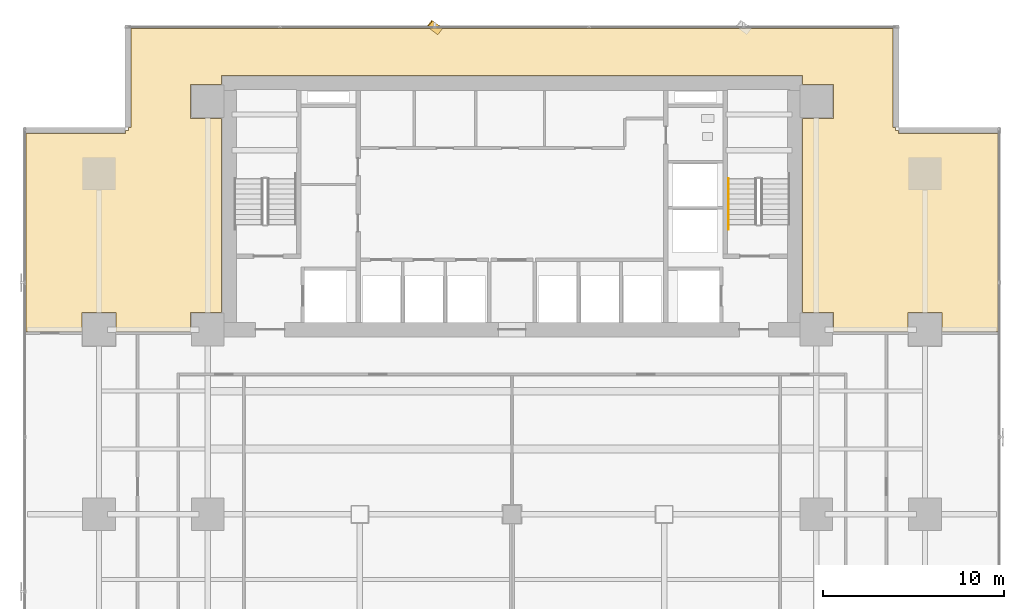
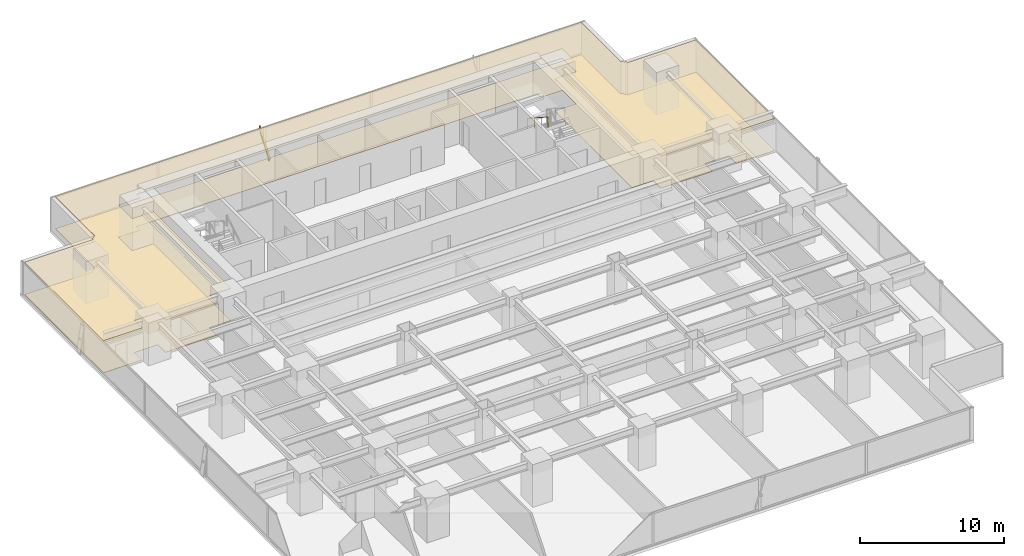
# One storey, part 31 of 33: 2 coverings, 1 railing, 1 shading device.
"""IFC4 building model written with IfcOpenShell, lengths in metres."""

from ifc_helpers import new_model, si_unit, direction, frame, origin, origin_2d, place, context, subcontext, project, spatial, polyline, rectangle, outline, extrude, source, transform, mapped, material, layer, layer_set, material_profile, profile_set, type_object, element, save


model = new_model("IFC4")

# Units and contexts
model_context = context("Model", 3, precision=1e-05, world=origin(), true_north=direction((0.0, 1.0)))
body_context = subcontext(model_context, "Body", "Model", "MODEL_VIEW")
ifc_project = project(units=[si_unit("LENGTHUNIT", "METRE"), si_unit("AREAUNIT", "SQUARE_METRE"), si_unit("VOLUMEUNIT", "CUBIC_METRE"), si_unit("PLANEANGLEUNIT", "RADIAN"), si_unit("MASSUNIT", "GRAM", prefix="KILO")], contexts=[model_context])

# Site, building, storey
site_placement = place(None, origin())
site = spatial("IfcSite", under=ifc_project, at=site_placement, CompositionType="ELEMENT")
building_placement = place(site_placement, origin())
building = spatial("IfcBuilding", under=site, at=building_placement, Name="Sumidabori Civic Tower", CompositionType="ELEMENT")
storey_placement = place(building_placement, frame((0.0, 0.0, 38.0)))
storey = spatial("IfcBuildingStorey", under=building, at=storey_placement, Name="L09", CompositionType="ELEMENT", Elevation=38.0)

# Coverings
ifc_material_1 = material(Name="Perforated Timber Acoustic Ceiling", Category="wood")
ifc_layer_1 = layer(ifc_material_1, 0.044921875, Name="Perforated Timber Acoustic Ceiling")
ifc_layer_set_1 = layer_set([ifc_layer_1], Name="Perforated Timber Acoustic Ceiling")
covering_type_1 = type_object("IfcCoveringType", Name="CV-CEIL-AC2", PredefinedType="CEILING", material=ifc_layer_set_1)
covering_1_placement = place(storey_placement, frame((0.0, 0.0, 2.7099609375)))
element("IfcCovering", 1, at=covering_1_placement, inside=storey, type_object=covering_type_1, Name="Room Acoustic Ceiling L09-01", PredefinedType="CEILING", context=body_context, shape_type="SweptSolid", body=[
    extrude(outline(polyline([(-21.342041015625, 21.179931640625), (-21.179931640625, 21.179931640625), (-21.179931640625, 21.342041015625), (-21.02197265625, 21.342041015625), (-21.02197265625, 26.830078125), (21.02197265625, 26.830078125), (21.02197265625, 21.342041015625), (21.179931640625, 21.342041015625), (21.179931640625, 21.179931640625), (21.342041015625, 21.179931640625), (21.342041015625, 21.02197265625), (26.830078125, 21.02197265625), (26.830078125, 10.08740234375), (23.739990234375, 10.08740234375), (23.739990234375, 11.139892578125), (21.860107421875, 11.139892578125), (21.860107421875, 10.08740234375), (20.7548828125, 10.08740234375), (20.7548828125, 10.10498046875), (17.739990234375, 10.10498046875), (17.739990234375, 11.139892578125), (16.028076171875, 11.139892578125), (16.028076171875, 21.860107421875), (17.739990234375, 21.860107421875), (17.739990234375, 23.739990234375), (16.028076171875, 23.739990234375), (16.028076171875, 24.22802734375), (-16.028076171875, 24.22802734375), (-16.028076171875, 23.739990234375), (-17.739990234375, 23.739990234375), (-17.739990234375, 21.860107421875), (-16.028076171875, 21.860107421875), (-16.028076171875, 11.139892578125), (-17.739990234375, 11.139892578125), (-17.739990234375, 10.10498046875), (-20.7548828125, 10.10498046875), (-20.7548828125, 10.08740234375), (-21.860107421875, 10.08740234375), (-21.860107421875, 11.139892578125), (-23.739990234375, 11.139892578125), (-23.739990234375, 10.08740234375), (-26.830078125, 10.08740234375), (-26.830078125, 21.02197265625), (-21.342041015625, 21.02197265625), (-21.342041015625, 21.179931640625)])), origin(), (0.0, 0.0, 1.0), 0.044921875),
])
ifc_material_2 = material(Name="Honed Terrazzo Tile Flooring")
ifc_layer_2 = layer(ifc_material_2, 0.030029296875, Name="Honed Terrazzo Tile Flooring")
ifc_layer_set_2 = layer_set([ifc_layer_2], Name="Honed Terrazzo Tile Flooring")
covering_type_2 = type_object("IfcCoveringType", Name="CV-FLR-TER", PredefinedType="FLOORING", material=ifc_layer_set_2)
covering_2_placement = place(storey_placement, origin())
element("IfcCovering", 2, at=covering_2_placement, inside=storey, type_object=covering_type_2, Name="Room Terrazzo Floor L09-01", PredefinedType="FLOORING", context=body_context, shape_type="SweptSolid", body=[
    extrude(outline(polyline([(-21.342041015625, 21.179931640625), (-21.179931640625, 21.179931640625), (-21.179931640625, 21.342041015625), (-21.02197265625, 21.342041015625), (-21.02197265625, 26.830078125), (21.02197265625, 26.830078125), (21.02197265625, 21.342041015625), (21.179931640625, 21.342041015625), (21.179931640625, 21.179931640625), (21.342041015625, 21.179931640625), (21.342041015625, 21.02197265625), (26.830078125, 21.02197265625), (26.830078125, 10.08740234375), (23.739990234375, 10.08740234375), (23.739990234375, 11.139892578125), (21.860107421875, 11.139892578125), (21.860107421875, 10.08740234375), (20.7548828125, 10.08740234375), (20.7548828125, 10.10498046875), (17.739990234375, 10.10498046875), (17.739990234375, 11.139892578125), (16.028076171875, 11.139892578125), (16.028076171875, 21.860107421875), (17.739990234375, 21.860107421875), (17.739990234375, 23.739990234375), (16.028076171875, 23.739990234375), (16.028076171875, 24.22802734375), (-16.028076171875, 24.22802734375), (-16.028076171875, 23.739990234375), (-17.739990234375, 23.739990234375), (-17.739990234375, 21.860107421875), (-16.028076171875, 21.860107421875), (-16.028076171875, 11.139892578125), (-17.739990234375, 11.139892578125), (-17.739990234375, 10.10498046875), (-20.7548828125, 10.10498046875), (-20.7548828125, 10.08740234375), (-21.860107421875, 10.08740234375), (-21.860107421875, 11.139892578125), (-23.739990234375, 11.139892578125), (-23.739990234375, 10.08740234375), (-26.830078125, 10.08740234375), (-26.830078125, 21.02197265625), (-21.342041015625, 21.02197265625), (-21.342041015625, 21.179931640625)])), origin(), (0.0, 0.0, 1.0), 0.030029296875),
])

# Railing
ifc_material_3 = material(Name="Stainless Steel Hairline Finish", Category="steel")
railing_type = type_object("IfcRailingType", Name="RL-HANDRAIL", PredefinedType="HANDRAIL", material=ifc_material_3)
railing_placement = place(storey_placement, frame((11.949951171875, 18.52001953125, 1.97998046875)))
element("IfcRailing", 3, at=railing_placement, inside=storey, type_object=railing_type, Name="L09 ST-2 stair handrail 2", PredefinedType="HANDRAIL", context=body_context, shape_type="SweptSolid", body=[
    extrude(rectangle(XDim=0.048095703125, YDim=0.048095703125, at=origin_2d()), frame((0.0, 0.0, 0.8759765625), z_axis=(0.0, -0.840675598268, 0.541539046124), x_axis=(1.0, 0.0, 0.0)), (0.0, 0.0, 1.0), 3.330810546875),
    extrude(rectangle(XDim=0.0419921875, YDim=0.0419921875, at=origin_2d()), origin(), (0.0, 0.0, 1.0), 0.851806640625),
    extrude(rectangle(XDim=0.0419921875, YDim=0.0419921875, at=origin_2d()), frame((0.0, -0.933349609375, 0.601318359375)), (0.0, 0.0, 1.0), 0.851806640625),
    extrude(rectangle(XDim=0.0419921875, YDim=0.0419921875, at=origin_2d()), frame((0.0, -1.86669921875, 1.202392578125)), (0.0, 0.0, 1.0), 0.851806640625),
    extrude(rectangle(XDim=0.0419921875, YDim=0.0419921875, at=origin_2d()), frame((0.0, -2.800048828125, 1.8037109375)), (0.0, 0.0, 1.0), 0.851806640625),
])

# Shading device
ifc_material_4 = material(Name="Anodised Bronze Aluminium AW-6063-T6", Category="aluminium")
ifc_material_profile = material_profile(ifc_material_4, rectangle(XDim=0.06005859375, YDim=0.449951171875, at=origin_2d()), Name="BRONZE FIN 450x60")
ifc_profile_set = profile_set([ifc_material_profile], Name="Anodised Bronze Aluminium AW-6063-T6")
shading_device_type = type_object("IfcShadingDeviceType", Name="SH-FIN-450", PredefinedType="USERDEFINED", material=ifc_profile_set)
shared_shape = source(origin(), body_context, "Body", "SweptSolid", [
    extrude(rectangle(XDim=0.06005859375, YDim=0.449951171875, at=origin_2d()), origin(), (0.0, 0.0, 1.0), 2.769775390625),
])
shading_device_placement = place(storey_placement, frame((-3.98388671875, 26.669921875, 0.02001953125), z_axis=(-0.202195931323, 0.151691019096, 0.967526041035), x_axis=(0.773939855131, -0.580623579198, 0.252771358975)))
element("IfcShadingDevice", 4, at=shading_device_placement, inside=storey, type_object=shading_device_type, Name="Bronze Anodised Diagonal Fin L09-03", ObjectType="FIN", PredefinedType="USERDEFINED", context=body_context, shape_type="MappedRepresentation", body=[
    mapped(shared_shape, transform((0.0, 0.0, 0.0), x_axis=(1.0, 0.0, 0.0), y_axis=(0.0, 1.0, 0.0), z_axis=(0.0, 0.0, 1.0), scale=1.0)),
])

save(model, "model.ifc")
